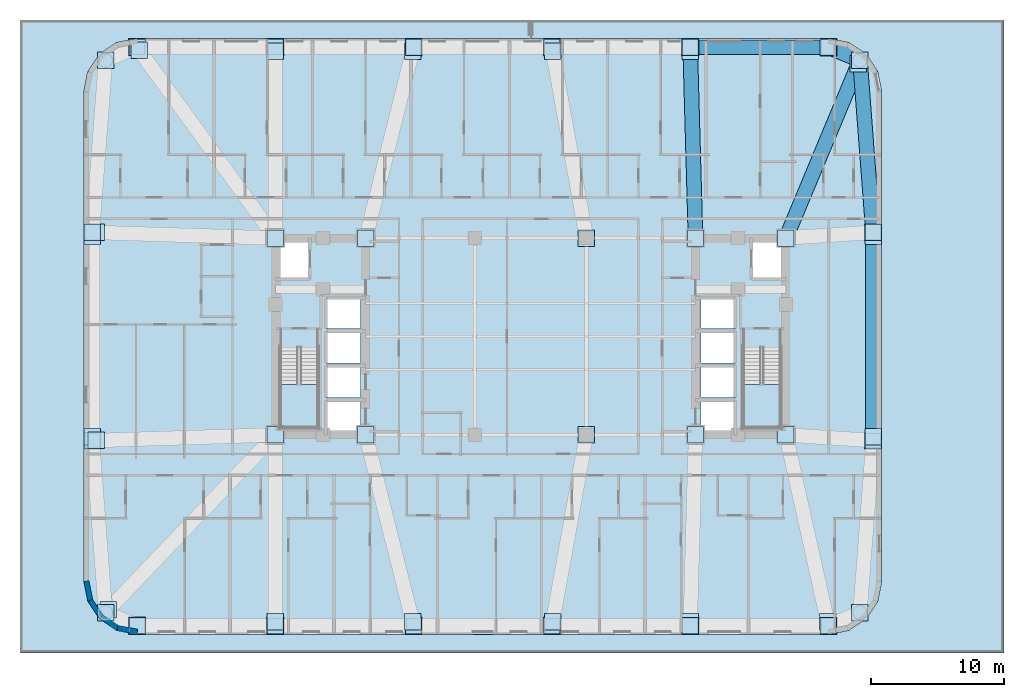
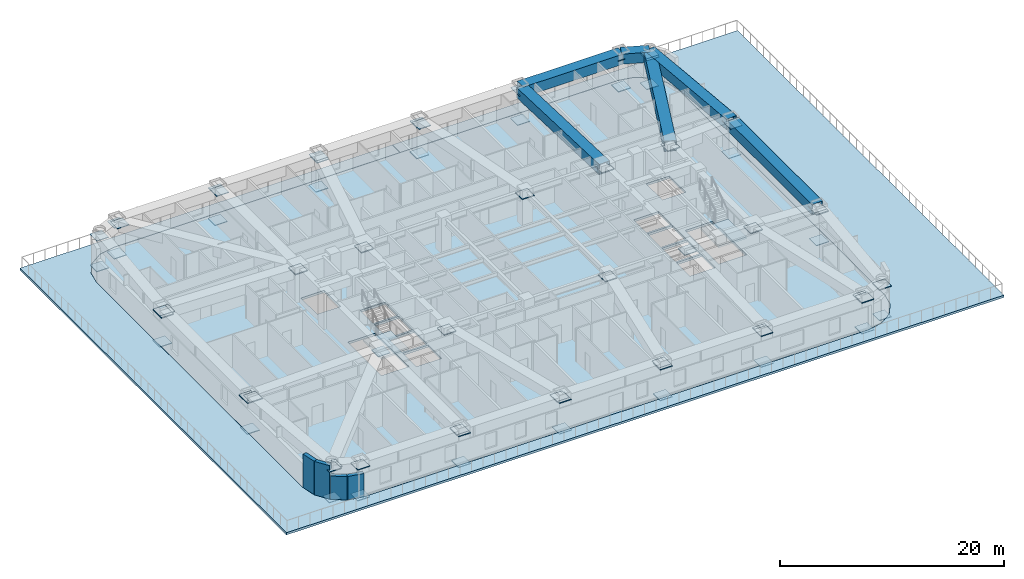
# One storey, part 2 of 15: 68 plates, 6 beams, 4 slabs, 4 walls, 2 elements without a shape of their own.
"""IFC4 building model written with IfcOpenShell, lengths in metres."""

from ifc_helpers import new_model, si_unit, direction, frame, frame_2d, origin, origin_2d, place, context, subcontext, project, spatial, polyline, rectangle, hollow_rectangle, outline, extrude, material, layer, layer_set, material_profile, profile_set, type_object, element, aggregate, save


model = new_model("IFC4")

# Units and contexts
model_context = context("Model", 3, precision=1e-05, world=origin(), true_north=direction((0.0, 1.0)))
body_context = subcontext(model_context, "Body", "Model", "MODEL_VIEW")
ifc_project = project(units=[si_unit("LENGTHUNIT", "METRE"), si_unit("AREAUNIT", "SQUARE_METRE"), si_unit("VOLUMEUNIT", "CUBIC_METRE"), si_unit("PLANEANGLEUNIT", "RADIAN"), si_unit("MASSUNIT", "GRAM", prefix="KILO")], contexts=[model_context])

# Site, building, storey
site_placement = place(None, origin())
site = spatial("IfcSite", under=ifc_project, at=site_placement, CompositionType="ELEMENT")
building_placement = place(site_placement, origin())
building = spatial("IfcBuilding", under=site, at=building_placement, Name="Voryun Gate Residences", CompositionType="ELEMENT")
storey_placement = place(building_placement, frame((0.0, 0.0, 26.0)))
storey = spatial("IfcBuildingStorey", under=building, at=storey_placement, Name="L05", CompositionType="ELEMENT", Elevation=26.0)

# Beams
ifc_material_1 = material(Name="Steel SM420", Category="steel")
ifc_material_profile = material_profile(ifc_material_1, hollow_rectangle(XDim=1.10009765625, YDim=1.10009765625, WallThickness=0.035888671875, at=origin_2d()), Name="BOX-1100x1100x36")
ifc_profile_set = profile_set([ifc_material_profile], Name="Steel SM420")
beam_type = type_object("IfcBeamType", Name="BM_ARCH_RIB", PredefinedType="USERDEFINED", material=ifc_profile_set)
beam_1_placement = place(storey_placement, frame((25.75, -7.530029296875, 3.10009765625), z_axis=(0.0, 1.0, 0.0), x_axis=(-1.0, 0.0, 0.0)))
element("IfcBeam", 1, at=beam_1_placement, inside=storey, type_object=beam_type, Name="BM-L05-SPAND-08", ObjectType="GIRDER", PredefinedType="USERDEFINED", context=body_context, shape_type="SweptSolid", body=[
    extrude(hollow_rectangle(XDim=1.10009765625, YDim=1.10009765625, WallThickness=0.035888671875, at=origin_2d()), origin(), (0.0, 0.0, 1.0), 15.06005859375),
])
beam_2_placement = place(storey_placement, frame((25.75, 7.830078125, 3.10009765625), z_axis=(-0.075617360159, 0.997136908776, 0.0), x_axis=(-0.997136908776, -0.075617360159, 0.0)))
element("IfcBeam", 2, at=beam_2_placement, inside=storey, type_object=beam_type, Name="BM-L05-SPAND-09", ObjectType="GIRDER", PredefinedType="USERDEFINED", context=body_context, shape_type="SweptSolid", body=[
    extrude(hollow_rectangle(XDim=1.10009765625, YDim=1.10009765625, WallThickness=0.035888671875, at=origin_2d()), origin(), (0.0, 0.0, 1.0), 12.975830078125),
])
beam_3_placement = place(storey_placement, frame((24.768798828125, 20.768798828125, 3.10009765625), z_axis=(-0.923883376753, 0.382674151414, 0.0), x_axis=(-0.382674151414, -0.923883376753, 0.0)))
element("IfcBeam", 3, at=beam_3_placement, inside=storey, type_object=beam_type, Name="BM-L05-SPAND-10", ObjectType="GIRDER", PredefinedType="USERDEFINED", context=body_context, shape_type="SweptSolid", body=[
    extrude(hollow_rectangle(XDim=1.10009765625, YDim=1.10009765625, WallThickness=0.035888671875, at=origin_2d()), origin(), (0.0, 0.0, 1.0), 2.56396484375),
])
beam_4_placement = place(storey_placement, frame((22.39990234375, 21.75, 3.10009765625), z_axis=(-1.0, 0.0, 0.0), x_axis=(0.0, -1.0, 0.0)))
element("IfcBeam", 4, at=beam_4_placement, inside=storey, type_object=beam_type, Name="BM-L05-SPAND-11", ObjectType="GIRDER", PredefinedType="USERDEFINED", context=body_context, shape_type="SweptSolid", body=[
    extrude(hollow_rectangle(XDim=1.10009765625, YDim=1.10009765625, WallThickness=0.035888671875, at=origin_2d()), origin(), (0.0, 0.0, 1.0), 10.39990234375),
])
beam_5_placement = place(storey_placement, frame((19.199951171875, 7.39990234375, 3.10009765625), z_axis=(0.38451637457, 0.923118171031, 0.0), x_axis=(-0.923118171031, 0.38451637457, 0.0)))
element("IfcBeam", 5, at=beam_5_placement, inside=storey, type_object=beam_type, Name="BM-L05-RAD-CNE", ObjectType="GIRDER", PredefinedType="USERDEFINED", context=body_context, shape_type="SweptSolid", body=[
    extrude(hollow_rectangle(XDim=1.10009765625, YDim=1.10009765625, WallThickness=0.035888671875, at=origin_2d()), origin(), (0.0, 0.0, 1.0), 14.182373046875),
])
beam_6_placement = place(storey_placement, frame((12.39990234375, 7.39990234375, 3.10009765625), z_axis=(-0.027860596984, 0.999611818225, 0.0), x_axis=(-0.999611818225, -0.027860596984, 0.0)))
element("IfcBeam", 6, at=beam_6_placement, inside=storey, type_object=beam_type, Name="BM-L05-RAD-N2", ObjectType="GIRDER", PredefinedType="USERDEFINED", context=body_context, shape_type="SweptSolid", body=[
    extrude(hollow_rectangle(XDim=1.10009765625, YDim=1.10009765625, WallThickness=0.035888671875, at=origin_2d()), origin(), (0.0, 0.0, 1.0), 14.0556640625),
])

# Plates
ifc_material_2 = material(Name="Steel SM355", Category="steel")
ifc_layer_1 = layer(ifc_material_2, 0.02490234375, Name="PLT_END_CAP_25")
ifc_layer_set_1 = layer_set([ifc_layer_1], Name="Steel SM355")
plate_type = type_object("IfcPlateType", Name="PLT_END_CAP_25", PredefinedType="USERDEFINED", material=ifc_layer_set_1)
for number, where, z_axis, x_axis, name in (
    (7, (-29.60009765625, -21.75, -0.2900390625), (0.0, 0.0, 1.0), (1.0, 0.0, 0.0), "L05 Hollow Member End-Cap Plate EC-089"),
    (8, (-19.199951171875, -21.75, -0.2900390625), (0.0, 0.0, 1.0), (1.0, 0.0, 0.0), "L05 Hollow Member End-Cap Plate EC-090"),
    (9, (-8.800048828125, -21.75, -0.2900390625), (0.0, 0.0, 1.0), (1.0, 0.0, 0.0), "L05 Hollow Member End-Cap Plate EC-091"),
    (10, (1.60009765625, -21.75, -0.2900390625), (0.0, 0.0, 1.0), (1.0, 0.0, 0.0), "L05 Hollow Member End-Cap Plate EC-092"),
    (11, (12.0, -21.75, -0.2900390625), (0.0, 0.0, 1.0), (1.0, 0.0, 0.0), "L05 Hollow Member End-Cap Plate EC-093"),
    (12, (22.39990234375, -21.75, -0.2900390625), (0.0, 0.0, 1.0), (1.0, 0.0, 0.0), "L05 Hollow Member End-Cap Plate EC-094"),
):
    element("IfcPlate", number, at=place(storey_placement, frame(where, z_axis=z_axis, x_axis=x_axis)), inside=storey, type_object=plate_type, Name=name, ObjectType="BASE_PLATE", PredefinedType="USERDEFINED", context=body_context, shape_type="SweptSolid", body=[
        extrude(rectangle(XDim=1.2900390625, YDim=1.2900390625, at=origin_2d()), origin(), (0.0, 0.0, 1.0), 0.080078125),
    ])
plate_1_placement = place(storey_placement, frame((24.768798828125, -20.768798828125, -0.2900390625), z_axis=(0.0, 0.0, 1.0), x_axis=(1.0, 0.0, 0.0)))
element("IfcPlate", 13, at=plate_1_placement, inside=storey, type_object=plate_type, Name="L05 Hollow Member End-Cap Plate EC-095", ObjectType="BASE_PLATE", PredefinedType="USERDEFINED", context=body_context, shape_type="SweptSolid", body=[
    extrude(rectangle(XDim=1.239990234375, YDim=1.239990234375, at=origin_2d()), origin(), (0.0, 0.0, 1.0), 0.080078125),
])
for number, where, z_axis, x_axis, name in (
    (14, (25.75, -7.830078125, -0.2900390625), (0.0, 0.0, 1.0), (1.0, 0.0, 0.0), "L05 Hollow Member End-Cap Plate EC-096"),
    (15, (25.75, 7.830078125, -0.2900390625), (0.0, 0.0, 1.0), (1.0, 0.0, 0.0), "L05 Hollow Member End-Cap Plate EC-097"),
):
    element("IfcPlate", number, at=place(storey_placement, frame(where, z_axis=z_axis, x_axis=x_axis)), inside=storey, type_object=plate_type, Name=name, ObjectType="BASE_PLATE", PredefinedType="USERDEFINED", context=body_context, shape_type="SweptSolid", body=[
        extrude(rectangle(XDim=1.2900390625, YDim=1.2900390625, at=origin_2d()), origin(), (0.0, 0.0, 1.0), 0.080078125),
    ])
plate_2_placement = place(storey_placement, frame((24.768798828125, 20.768798828125, -0.2900390625), z_axis=(0.0, 0.0, 1.0), x_axis=(1.0, 0.0, 0.0)))
element("IfcPlate", 16, at=plate_2_placement, inside=storey, type_object=plate_type, Name="L05 Hollow Member End-Cap Plate EC-098", ObjectType="BASE_PLATE", PredefinedType="USERDEFINED", context=body_context, shape_type="SweptSolid", body=[
    extrude(rectangle(XDim=1.239990234375, YDim=1.239990234375, at=origin_2d()), origin(), (0.0, 0.0, 1.0), 0.080078125),
])
for number, where, z_axis, x_axis, name in (
    (17, (22.39990234375, 21.75, -0.2900390625), (0.0, 0.0, 1.0), (1.0, 0.0, 0.0), "L05 Hollow Member End-Cap Plate EC-099"),
    (18, (12.0, 21.75, -0.2900390625), (0.0, 0.0, 1.0), (1.0, 0.0, 0.0), "L05 Hollow Member End-Cap Plate EC-100"),
    (19, (1.60009765625, 21.75, -0.2900390625), (0.0, 0.0, 1.0), (1.0, 0.0, 0.0), "L05 Hollow Member End-Cap Plate EC-101"),
    (20, (-8.800048828125, 21.75, -0.2900390625), (0.0, 0.0, 1.0), (1.0, 0.0, 0.0), "L05 Hollow Member End-Cap Plate EC-102"),
    (21, (-19.199951171875, 21.75, -0.2900390625), (0.0, 0.0, 1.0), (1.0, 0.0, 0.0), "L05 Hollow Member End-Cap Plate EC-103"),
    (22, (-29.60009765625, 21.75, -0.2900390625), (0.0, 0.0, 1.0), (1.0, 0.0, 0.0), "L05 Hollow Member End-Cap Plate EC-104"),
):
    element("IfcPlate", number, at=place(storey_placement, frame(where, z_axis=z_axis, x_axis=x_axis)), inside=storey, type_object=plate_type, Name=name, ObjectType="BASE_PLATE", PredefinedType="USERDEFINED", context=body_context, shape_type="SweptSolid", body=[
        extrude(rectangle(XDim=1.2900390625, YDim=1.2900390625, at=origin_2d()), origin(), (0.0, 0.0, 1.0), 0.080078125),
    ])
plate_3_placement = place(storey_placement, frame((-31.96875, 20.768798828125, -0.2900390625), z_axis=(0.0, 0.0, 1.0), x_axis=(1.0, 0.0, 0.0)))
element("IfcPlate", 23, at=plate_3_placement, inside=storey, type_object=plate_type, Name="L05 Hollow Member End-Cap Plate EC-105", ObjectType="BASE_PLATE", PredefinedType="USERDEFINED", context=body_context, shape_type="SweptSolid", body=[
    extrude(rectangle(XDim=1.239990234375, YDim=1.239990234375, at=origin_2d()), origin(), (0.0, 0.0, 1.0), 0.080078125),
])
for number, where, z_axis, x_axis, name in (
    (24, (-32.949951171875, 7.830078125, -0.2900390625), (0.0, 0.0, 1.0), (1.0, 0.0, 0.0), "L05 Hollow Member End-Cap Plate EC-106"),
    (25, (-32.949951171875, -7.830078125, -0.2900390625), (0.0, 0.0, 1.0), (1.0, 0.0, 0.0), "L05 Hollow Member End-Cap Plate EC-107"),
):
    element("IfcPlate", number, at=place(storey_placement, frame(where, z_axis=z_axis, x_axis=x_axis)), inside=storey, type_object=plate_type, Name=name, ObjectType="BASE_PLATE", PredefinedType="USERDEFINED", context=body_context, shape_type="SweptSolid", body=[
        extrude(rectangle(XDim=1.2900390625, YDim=1.2900390625, at=origin_2d()), origin(), (0.0, 0.0, 1.0), 0.080078125),
    ])
for number, where, z_axis, x_axis, name in (
    (26, (-31.96875, -20.768798828125, -0.2900390625), (0.0, 0.0, 1.0), (1.0, 0.0, 0.0), "L05 Hollow Member End-Cap Plate EC-108"),
    (27, (-29.60009765625, -21.75, 3.06005859375), (0.0, 0.0, 1.0), (1.0, 0.0, 0.0), "L05 Hollow Member End-Cap Plate EC-109"),
    (28, (-19.199951171875, -21.75, 3.06005859375), (0.0, 0.0, 1.0), (1.0, 0.0, 0.0), "L05 Hollow Member End-Cap Plate EC-110"),
    (29, (-8.800048828125, -21.75, 3.06005859375), (0.0, 0.0, 1.0), (1.0, 0.0, 0.0), "L05 Hollow Member End-Cap Plate EC-111"),
    (30, (1.60009765625, -21.75, 3.06005859375), (0.0, 0.0, 1.0), (1.0, 0.0, 0.0), "L05 Hollow Member End-Cap Plate EC-112"),
    (31, (12.0, -21.75, 3.06005859375), (0.0, 0.0, 1.0), (1.0, 0.0, 0.0), "L05 Hollow Member End-Cap Plate EC-113"),
    (32, (22.39990234375, -21.75, 3.06005859375), (0.0, 0.0, 1.0), (1.0, 0.0, 0.0), "L05 Hollow Member End-Cap Plate EC-114"),
    (33, (24.768798828125, -20.768798828125, 3.06005859375), (0.0, 0.0, 1.0), (1.0, 0.0, 0.0), "L05 Hollow Member End-Cap Plate EC-115"),
    (34, (25.75, -7.830078125, 3.06005859375), (0.0, 0.0, 1.0), (1.0, 0.0, 0.0), "L05 Hollow Member End-Cap Plate EC-116"),
    (35, (25.75, -7.530029296875, 3.06005859375), (0.0, 0.0, 1.0), (1.0, 0.0, 0.0), "L05 Hollow Member End-Cap Plate EC-117"),
    (36, (25.75, 7.530029296875, 3.06005859375), (0.0, 0.0, 1.0), (1.0, 0.0, 0.0), "L05 Hollow Member End-Cap Plate EC-118"),
    (37, (25.75, 7.830078125, 3.06005859375), (0.0, 0.0, 1.0), (1.0, 0.0, 0.0), "L05 Hollow Member End-Cap Plate EC-119"),
    (38, (24.768798828125, 20.768798828125, 3.06005859375), (0.0, 0.0, 1.0), (1.0, 0.0, 0.0), "L05 Hollow Member End-Cap Plate EC-120"),
    (39, (22.39990234375, 21.75, 3.06005859375), (0.0, 0.0, 1.0), (1.0, 0.0, 0.0), "L05 Hollow Member End-Cap Plate EC-121"),
    (40, (12.0, 21.75, 3.06005859375), (0.0, 0.0, 1.0), (1.0, 0.0, 0.0), "L05 Hollow Member End-Cap Plate EC-122"),
    (41, (1.60009765625, 21.75, 3.06005859375), (0.0, 0.0, 1.0), (1.0, 0.0, 0.0), "L05 Hollow Member End-Cap Plate EC-123"),
    (42, (-8.800048828125, 21.75, 3.06005859375), (0.0, 0.0, 1.0), (1.0, 0.0, 0.0), "L05 Hollow Member End-Cap Plate EC-124"),
    (43, (-19.199951171875, 21.75, 3.06005859375), (0.0, 0.0, 1.0), (1.0, 0.0, 0.0), "L05 Hollow Member End-Cap Plate EC-125"),
    (44, (-29.60009765625, 21.75, 3.06005859375), (0.0, 0.0, 1.0), (1.0, 0.0, 0.0), "L05 Hollow Member End-Cap Plate EC-126"),
    (45, (-31.96875, 20.768798828125, 3.06005859375), (0.0, 0.0, 1.0), (1.0, 0.0, 0.0), "L05 Hollow Member End-Cap Plate EC-127"),
    (46, (-32.949951171875, 7.830078125, 3.06005859375), (0.0, 0.0, 1.0), (1.0, 0.0, 0.0), "L05 Hollow Member End-Cap Plate EC-128"),
    (47, (-32.949951171875, 7.530029296875, 3.06005859375), (0.0, 0.0, 1.0), (1.0, 0.0, 0.0), "L05 Hollow Member End-Cap Plate EC-129"),
    (48, (-32.949951171875, -7.530029296875, 3.06005859375), (0.0, 0.0, 1.0), (1.0, 0.0, 0.0), "L05 Hollow Member End-Cap Plate EC-130"),
    (49, (-32.949951171875, -7.830078125, 3.06005859375), (0.0, 0.0, 1.0), (1.0, 0.0, 0.0), "L05 Hollow Member End-Cap Plate EC-131"),
    (50, (-31.96875, -20.768798828125, 3.06005859375), (0.0, 0.0, 1.0), (1.0, 0.0, 0.0), "L05 Hollow Member End-Cap Plate EC-132"),
    (51, (-19.199951171875, -7.39990234375, 3.06005859375), (0.0, 0.0, 1.0), (1.0, 0.0, 0.0), "L05 Hollow Member End-Cap Plate EC-133"),
    (52, (-19.199951171875, -21.449951171875, 3.06005859375), (0.0, 0.0, 1.0), (1.0, 0.0, 0.0), "L05 Hollow Member End-Cap Plate EC-134"),
    (53, (-12.39990234375, -7.39990234375, 3.06005859375), (0.0, 0.0, 1.0), (1.0, 0.0, 0.0), "L05 Hollow Member End-Cap Plate EC-135"),
    (54, (-8.873046875, -21.458984375, 3.06005859375), (0.0, 0.0, 1.0), (1.0, 0.0, 0.0), "L05 Hollow Member End-Cap Plate EC-136"),
    (55, (4.199951171875, -7.39990234375, 3.06005859375), (0.0, 0.0, 1.0), (1.0, 0.0, 0.0), "L05 Hollow Member End-Cap Plate EC-137"),
    (56, (1.653564453125, -21.454833984375, 3.06005859375), (0.0, 0.0, 1.0), (1.0, 0.0, 0.0), "L05 Hollow Member End-Cap Plate EC-138"),
    (57, (12.39990234375, -7.39990234375, 3.06005859375), (0.0, 0.0, 1.0), (1.0, 0.0, 0.0), "L05 Hollow Member End-Cap Plate EC-139"),
    (58, (12.00830078125, -21.4501953125, 3.06005859375), (0.0, 0.0, 1.0), (1.0, 0.0, 0.0), "L05 Hollow Member End-Cap Plate EC-140"),
    (59, (19.199951171875, -7.39990234375, 3.06005859375), (0.0, 0.0, 1.0), (1.0, 0.0, 0.0), "L05 Hollow Member End-Cap Plate EC-141"),
    (60, (22.334716796875, -21.457275390625, 3.06005859375), (0.0, 0.0, 1.0), (1.0, 0.0, 0.0), "L05 Hollow Member End-Cap Plate EC-142"),
    (61, (19.199951171875, 7.39990234375, 3.06005859375), (0.0, 0.0, 1.0), (1.0, 0.0, 0.0), "L05 Hollow Member End-Cap Plate EC-143"),
    (62, (24.6533203125, 20.491943359375, 3.06005859375), (0.0, 0.0, 1.0), (1.0, 0.0, 0.0), "L05 Hollow Member End-Cap Plate EC-144"),
    (63, (12.39990234375, 7.39990234375, 3.06005859375), (0.0, 0.0, 1.0), (1.0, 0.0, 0.0), "L05 Hollow Member End-Cap Plate EC-145"),
    (64, (12.00830078125, 21.4501953125, 3.06005859375), (0.0, 0.0, 1.0), (1.0, 0.0, 0.0), "L05 Hollow Member End-Cap Plate EC-146"),
    (65, (4.199951171875, 7.39990234375, 3.06005859375), (0.0, 0.0, 1.0), (1.0, 0.0, 0.0), "L05 Hollow Member End-Cap Plate EC-147"),
    (66, (1.653564453125, 21.454833984375, 3.06005859375), (0.0, 0.0, 1.0), (1.0, 0.0, 0.0), "L05 Hollow Member End-Cap Plate EC-148"),
    (67, (-12.39990234375, 7.39990234375, 3.06005859375), (0.0, 0.0, 1.0), (1.0, 0.0, 0.0), "L05 Hollow Member End-Cap Plate EC-149"),
    (68, (-8.873046875, 21.458984375, 3.06005859375), (0.0, 0.0, 1.0), (1.0, 0.0, 0.0), "L05 Hollow Member End-Cap Plate EC-150"),
    (69, (-19.199951171875, 7.39990234375, 3.06005859375), (0.0, 0.0, 1.0), (1.0, 0.0, 0.0), "L05 Hollow Member End-Cap Plate EC-151"),
    (70, (-19.199951171875, 21.449951171875, 3.06005859375), (0.0, 0.0, 1.0), (1.0, 0.0, 0.0), "L05 Hollow Member End-Cap Plate EC-152"),
    (71, (-29.424072265625, 21.507080078125, 3.06005859375), (0.0, 0.0, 1.0), (1.0, 0.0, 0.0), "L05 Hollow Member End-Cap Plate EC-153"),
    (72, (-32.650146484375, 7.820556640625, 3.06005859375), (0.0, 0.0, 1.0), (1.0, 0.0, 0.0), "L05 Hollow Member End-Cap Plate EC-154"),
    (73, (-32.650146484375, -7.820556640625, 3.06005859375), (0.0, 0.0, 1.0), (1.0, 0.0, 0.0), "L05 Hollow Member End-Cap Plate EC-155"),
    (74, (-31.76171875, -20.552001953125, 3.06005859375), (0.0, 0.0, 1.0), (1.0, 0.0, 0.0), "L05 Hollow Member End-Cap Plate EC-156"),
):
    element("IfcPlate", number, at=place(storey_placement, frame(where, z_axis=z_axis, x_axis=x_axis)), inside=storey, type_object=plate_type, Name=name, ObjectType="BASE_PLATE", PredefinedType="USERDEFINED", context=body_context, shape_type="SweptSolid", body=[
        extrude(rectangle(XDim=1.239990234375, YDim=1.239990234375, at=origin_2d()), origin(), (0.0, 0.0, 1.0), 0.080078125),
    ])

# Slab
ifc_material_3 = material(Name="Concrete C40/50", Category="concrete")
ifc_layer_2 = layer(ifc_material_3, 0.25, Name="SLB_RES_250")
ifc_layer_set_2 = layer_set([ifc_layer_2], Name="Concrete C40/50")
slab_type_1 = type_object("IfcSlabType", Name="SLB_RES_250", PredefinedType="FLOOR", material=ifc_layer_set_2)
slab_1_placement = place(storey_placement, frame((0.0, 0.0, -0.25)))
element("IfcSlab", 75, at=slab_1_placement, inside=storey, type_object=slab_type_1, Name="L05 Structural Floor Slab", PredefinedType="FLOOR", context=body_context, shape_type="SweptSolid", body=[
    extrude(outline(polyline([(-29.60009765625, -22.39990234375), (-31.130615234375, -22.095458984375), (-32.428466796875, -21.228515625), (-33.29541015625, -19.9306640625), (-33.60009765625, -18.39990234375), (-33.60009765625, 18.39990234375), (-33.29541015625, 19.9306640625), (-32.428466796875, 21.228515625), (-31.130615234375, 22.095458984375), (-29.60009765625, 22.39990234375), (22.39990234375, 22.39990234375), (23.9306640625, 22.095458984375), (25.228515625, 21.228515625), (26.095458984375, 19.9306640625), (26.39990234375, 18.39990234375), (26.39990234375, -18.39990234375), (26.095458984375, -19.9306640625), (25.228515625, -21.228515625), (23.9306640625, -22.095458984375), (22.39990234375, -22.39990234375), (-29.60009765625, -22.39990234375)]), holes=[polyline([(-12.800048828125, -4.800048828125), (-15.39990234375, -4.800048828125), (-15.39990234375, -7.199951171875), (-12.800048828125, -7.199951171875), (-12.800048828125, -4.800048828125)]), polyline([(-18.824951171875, -6.85009765625), (-15.97509765625, -6.85009765625), (-15.97509765625, -0.840087890625), (-18.824951171875, -0.840087890625), (-18.824951171875, -6.85009765625)]), polyline([(-12.800048828125, -4.60009765625), (-12.800048828125, -2.199951171875), (-15.39990234375, -2.199951171875), (-15.39990234375, -4.60009765625), (-12.800048828125, -4.60009765625)]), polyline([(-12.800048828125, 0.39990234375), (-15.39990234375, 0.39990234375), (-15.39990234375, -2.0), (-12.800048828125, -2.0), (-12.800048828125, 0.39990234375)]), polyline([(-12.800048828125, 0.60009765625), (-12.800048828125, 2.89990234375), (-15.39990234375, 2.89990234375), (-15.39990234375, 0.60009765625), (-12.800048828125, 0.60009765625)]), polyline([(-16.60009765625, 4.300048828125), (-16.60009765625, 7.199951171875), (-19.0, 7.199951171875), (-19.0, 4.300048828125), (-16.60009765625, 4.300048828125)]), polyline([(15.39990234375, -4.800048828125), (12.800048828125, -4.800048828125), (12.800048828125, -7.199951171875), (15.39990234375, -7.199951171875), (15.39990234375, -4.800048828125)]), polyline([(15.97509765625, -6.85009765625), (18.824951171875, -6.85009765625), (18.824951171875, -0.840087890625), (15.97509765625, -0.840087890625), (15.97509765625, -6.85009765625)]), polyline([(15.39990234375, -4.60009765625), (15.39990234375, -2.199951171875), (12.800048828125, -2.199951171875), (12.800048828125, -4.60009765625), (15.39990234375, -4.60009765625)]), polyline([(15.39990234375, 0.39990234375), (12.800048828125, 0.39990234375), (12.800048828125, -2.0), (15.39990234375, -2.0), (15.39990234375, 0.39990234375)]), polyline([(15.39990234375, 0.60009765625), (15.39990234375, 2.89990234375), (12.800048828125, 2.89990234375), (12.800048828125, 0.60009765625), (15.39990234375, 0.60009765625)]), polyline([(19.0, 4.300048828125), (19.0, 7.199951171875), (16.60009765625, 7.199951171875), (16.60009765625, 4.300048828125), (19.0, 4.300048828125)])]), origin(), (0.0, 0.0, 1.0), 0.25),
])

# Stair, slab
ifc_material_4 = material(Name="Concrete C40/50", Category="concrete")
stair_type = type_object("IfcStairType", Name="STR_CORE_DOGLEG_1350", PredefinedType="HALF_TURN_STAIR", material=ifc_material_4)
stair_1_placement = place(storey_placement, origin())
stair_1 = element("IfcStair", 76, at=stair_1_placement, inside=storey, type_object=stair_type, Name="L05 Special Escape Stair ST-W1", PredefinedType="HALF_TURN_STAIR")
ifc_material_5 = material(Name="Concrete C40/50", Category="concrete")
ifc_layer_3 = layer(ifc_material_5, 0.199951171875, Name="SLB_STAIR_LANDING_200")
ifc_layer_set_3 = layer_set([ifc_layer_3], Name="Concrete C40/50")
slab_type_2 = type_object("IfcSlabType", Name="SLB_STAIR_LANDING_200", PredefinedType="LANDING", material=ifc_layer_set_3)
slab_2_placement = place(storey_placement, frame((0.0, 0.0, 1.75)))
slab_2 = element("IfcSlab", 77, at=slab_2_placement, type_object=slab_type_2, Name="ST-W1 landing 1", PredefinedType="LANDING", context=body_context, shape_type="SweptSolid", body=[
    extrude(outline(polyline([(-18.824951171875, -3.60009765625), (-18.824951171875, -6.85009765625), (-15.97509765625, -6.85009765625), (-15.97509765625, -3.60009765625), (-18.824951171875, -3.60009765625)])), origin(), (0.0, 0.0, 1.0), 0.199951171875),
])
aggregate(stair_1, [slab_2])

stair_2_placement = place(storey_placement, origin())
stair_2 = element("IfcStair", 78, at=stair_2_placement, inside=storey, type_object=stair_type, Name="L05 Special Escape Stair ST-E1", PredefinedType="HALF_TURN_STAIR")
slab_3_placement = place(storey_placement, frame((0.0, 0.0, 1.75)))
slab_3 = element("IfcSlab", 79, at=slab_3_placement, type_object=slab_type_2, Name="ST-E1 landing 1", PredefinedType="LANDING", context=body_context, shape_type="SweptSolid", body=[
    extrude(outline(polyline([(15.97509765625, -3.60009765625), (15.97509765625, -6.85009765625), (18.824951171875, -6.85009765625), (18.824951171875, -3.60009765625), (15.97509765625, -3.60009765625)])), origin(), (0.0, 0.0, 1.0), 0.199951171875),
])
aggregate(stair_2, [slab_3])

# Slab
ifc_material_6 = material(Name="Concrete C40/50", Category="concrete")
ifc_layer_4 = layer(ifc_material_6, 0.239990234375, Name="SLB_TERRACE_ROOF_240")
ifc_layer_set_4 = layer_set([ifc_layer_4], Name="Concrete C40/50")
slab_type_3 = type_object("IfcSlabType", Name="SLB_TERRACE_ROOF_240", PredefinedType="ROOF", material=ifc_layer_set_4)
slab_4_placement = place(storey_placement, frame((0.0, 0.0, -0.239990234375)))
element("IfcSlab", 80, at=slab_4_placement, inside=storey, type_object=slab_type_3, Name="Spiralling Setback Sky-Garden Terrace Roof 1", PredefinedType="ROOF", context=body_context, shape_type="SweptSolid", body=[
    extrude(outline(polyline([(-0.014892578125, 23.800048828125), (-0.014892578125, 22.405029296875), (-29.60009765625, 22.405029296875), (-29.6005859375, 22.405029296875), (-29.60107421875, 22.40478515625), (-31.131591796875, 22.100341796875), (-31.132080078125, 22.100341796875), (-31.132568359375, 22.10009765625), (-31.133056640625, 22.099853515625), (-31.133544921875, 22.099609375), (-32.43115234375, 21.232666015625), (-32.431640625, 21.232177734375), (-32.431884765625, 21.23193359375), (-32.432373046875, 21.231689453125), (-32.4326171875, 21.231201171875), (-33.299560546875, 19.93359375), (-33.300048828125, 19.93310546875), (-33.300048828125, 19.9326171875), (-33.30029296875, 19.93212890625), (-33.300537109375, 19.931640625), (-33.60498046875, 18.40087890625), (-33.60498046875, 18.400390625), (-33.60498046875, 18.39990234375), (-33.60498046875, -18.39990234375), (-33.60498046875, -18.400390625), (-33.60498046875, -18.40087890625), (-33.300537109375, -19.931640625), (-33.30029296875, -19.93212890625), (-33.300048828125, -19.9326171875), (-33.300048828125, -19.93310546875), (-33.299560546875, -19.93359375), (-32.4326171875, -21.231201171875), (-32.432373046875, -21.231689453125), (-32.431884765625, -21.23193359375), (-32.431640625, -21.232177734375), (-32.43115234375, -21.232666015625), (-31.133544921875, -22.099609375), (-31.133056640625, -22.099853515625), (-31.132568359375, -22.10009765625), (-31.132080078125, -22.100341796875), (-31.131591796875, -22.100341796875), (-29.60107421875, -22.40478515625), (-29.6005859375, -22.405029296875), (-29.60009765625, -22.405029296875), (22.39990234375, -22.405029296875), (22.400390625, -22.405029296875), (22.40087890625, -22.40478515625), (23.931640625, -22.100341796875), (23.93212890625, -22.100341796875), (23.9326171875, -22.10009765625), (23.93310546875, -22.099853515625), (23.93359375, -22.099609375), (25.231201171875, -21.232666015625), (25.231689453125, -21.232177734375), (25.23193359375, -21.23193359375), (25.232177734375, -21.231689453125), (25.232666015625, -21.231201171875), (26.099609375, -19.93359375), (26.099853515625, -19.93310546875), (26.10009765625, -19.9326171875), (26.100341796875, -19.93212890625), (26.100341796875, -19.931640625), (26.40478515625, -18.40087890625), (26.405029296875, -18.400390625), (26.405029296875, -18.39990234375), (26.405029296875, 18.39990234375), (26.405029296875, 18.400390625), (26.40478515625, 18.40087890625), (26.100341796875, 19.931640625), (26.100341796875, 19.93212890625), (26.10009765625, 19.9326171875), (26.099853515625, 19.93310546875), (26.099609375, 19.93359375), (25.232666015625, 21.231201171875), (25.232177734375, 21.231689453125), (25.23193359375, 21.23193359375), (25.231689453125, 21.232177734375), (25.231201171875, 21.232666015625), (23.93359375, 22.099609375), (23.93310546875, 22.099853515625), (23.9326171875, 22.10009765625), (23.93212890625, 22.100341796875), (23.931640625, 22.100341796875), (22.40087890625, 22.40478515625), (22.400390625, 22.405029296875), (22.39990234375, 22.405029296875), (0.014892578125, 22.405029296875), (0.014892578125, 23.800048828125), (35.60009765625, 23.800048828125), (35.60009765625, -23.800048828125), (-38.39990234375, -23.800048828125), (-38.39990234375, 23.800048828125), (-0.014892578125, 23.800048828125)])), origin(), (0.0, 0.0, 1.0), 0.239990234375),
])

# Walls
ifc_material_7 = material(Name="Granite masonry", Category="masonry")
ifc_layer_5 = layer(ifc_material_7, 0.3798828125, Name="W_EXT_GRANITE_380")
ifc_layer_set_5 = layer_set([ifc_layer_5], Name="Granite masonry")
wall_type = type_object("IfcWallType", Name="W_EXT_GRANITE_380", PredefinedType="ELEMENTEDWALL", material=ifc_layer_set_5)
wall_1_placement = place(storey_placement, frame((-29.581298828125, -22.2099609375, 0.0), z_axis=(0.0, 0.0, 1.0), x_axis=(-0.980786132421, 0.195086038585, 0.0)))
element("IfcWall", 81, at=wall_1_placement, inside=storey, type_object=wall_type, Name="Exterior wall WEXT-L05-02", PredefinedType="ELEMENTEDWALL", context=body_context, shape_type="SweptSolid", body=[
    extrude(rectangle(XDim=1.504150390625, YDim=0.3798828125, at=frame_2d((0.751953125, 0.0))), origin(), (0.0, 0.0, 1.0), 2.5400390625),
])
wall_2_placement = place(storey_placement, frame((-31.056640625, -21.91650390625, 0.0), z_axis=(0.0, 0.0, 1.0), x_axis=(-0.831442848281, 0.555610286119, 0.0)))
element("IfcWall", 82, at=wall_2_placement, inside=storey, type_object=wall_type, Name="Exterior wall WEXT-L05-03", PredefinedType="ELEMENTEDWALL", context=body_context, shape_type="SweptSolid", body=[
    extrude(rectangle(XDim=1.485107421875, YDim=0.3798828125, at=frame_2d((0.74267578125, 0.0))), origin(), (0.0, 0.0, 1.0), 2.5400390625),
])
wall_3_placement = place(storey_placement, frame((-32.29150390625, -21.09130859375, 0.0), z_axis=(0.0, 0.0, 1.0), x_axis=(-0.555572577804, 0.831468045563, 0.0)))
element("IfcWall", 83, at=wall_3_placement, inside=storey, type_object=wall_type, Name="Exterior wall WEXT-L05-04", PredefinedType="ELEMENTEDWALL", context=body_context, shape_type="SweptSolid", body=[
    extrude(rectangle(XDim=1.48486328125, YDim=0.3798828125, at=frame_2d((0.742431640625, 0.0))), origin(), (0.0, 0.0, 1.0), 3.64990234375),
])
wall_4_placement = place(storey_placement, frame((-33.116455078125, -19.856689453125, 0.0), z_axis=(0.0, 0.0, 1.0), x_axis=(-0.195086038585, 0.980786132421, 0.0)))
element("IfcWall", 84, at=wall_4_placement, inside=storey, type_object=wall_type, Name="Exterior wall WEXT-L05-05", PredefinedType="ELEMENTEDWALL", context=body_context, shape_type="SweptSolid", body=[
    extrude(rectangle(XDim=1.504150390625, YDim=0.3798828125, at=frame_2d((0.751953125, 0.0))), origin(), (0.0, 0.0, 1.0), 3.64990234375),
])

save(model, "model.ifc")
